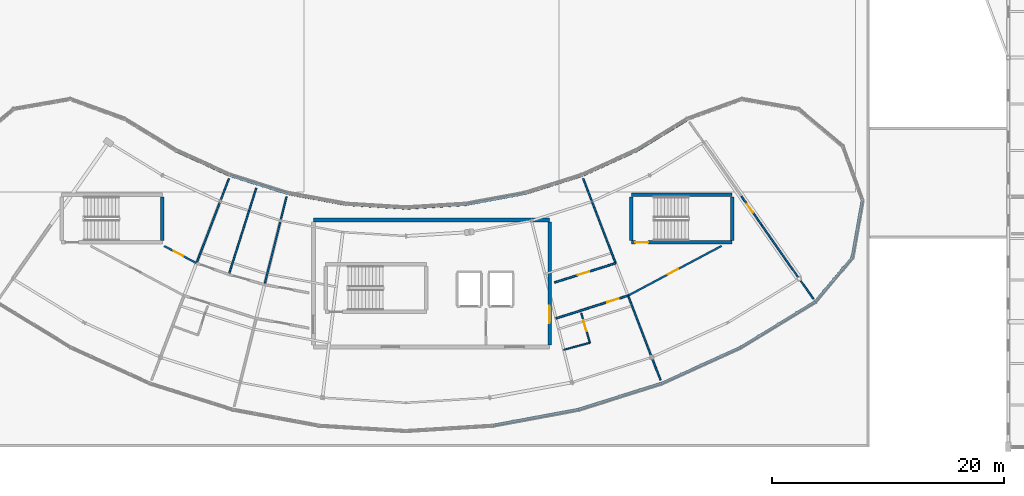
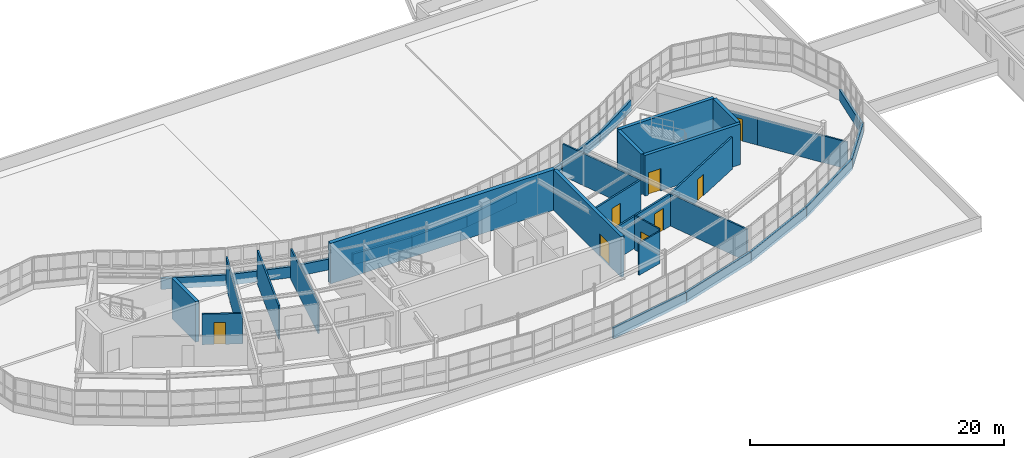
# One storey, part 103 of 128: 35 walls, 8 doors, 8 openings.
"""IFC4 building model written with IfcOpenShell, lengths in metres."""

import ifcopenshell
import ifcopenshell.guid

model = None  # the IFC model being written
_history = None  # IfcOwnerHistory: only IFC2X3 demands one
_inside = {}  # id of a spatial element -> (the spatial element, [elements in it])
_under = {}  # id of a project, library or spatial element -> (it, [spatial elements below it])
_declared = {}  # id of a project -> (the project, [libraries it declares])
_typed = {}  # id of a type object -> (the type object, [elements of that type])
_made_of = {}  # id of a material, layer set ... -> (it, [elements and type objects made of it])


def new_model(schema):
    """Start an empty IFC model of exactly this schema.

    Asked for "IFC4X3", IfcOpenShell would pick the latest addendum, in which some entities
    have other attributes; the version numbers below select the first issue.
    IFC2X3 requires an IfcOwnerHistory on every rooted entity: one is made here for all.
    """
    global model, _history
    if schema == "IFC4X3":
        model = ifcopenshell.file(schema_version=(4, 3, 0, 0))
    else:
        model = ifcopenshell.file(schema=schema)
    _inside.clear()
    _under.clear()
    _declared.clear()
    _typed.clear()
    _made_of.clear()
    _history = None
    if model.schema == "IFC2X3":
        org = make("IfcOrganization", Name="unknown")
        user = make(
            "IfcPersonAndOrganization",
            ThePerson=make("IfcPerson", FamilyName="unknown"),
            TheOrganization=org,
        )
        app = make(
            "IfcApplication",
            ApplicationDeveloper=org,
            Version="unknown",
            ApplicationFullName="unknown",
            ApplicationIdentifier="unknown",
        )
        _history = make(
            "IfcOwnerHistory",
            OwningUser=user,
            OwningApplication=app,
            ChangeAction="ADDED",
            CreationDate=0,
        )
    return model


def make(cls, **values):
    """One entity of the class cls with the attributes given. An attribute that is None is left unset."""
    return model.create_entity(
        cls, **{name: value for name, value in values.items() if value is not None}
    )


def rooted(cls, **values):
    """An entity with a GlobalId (a new one), such as an element, a storey or a relation."""
    return make(cls, GlobalId=ifcopenshell.guid.new(), OwnerHistory=_history, **values)


def si_unit(unit_type, name, prefix=None):
    """IfcSIUnit, for example si_unit("LENGTHUNIT", "METRE", prefix="MILLI")."""
    return make("IfcSIUnit", UnitType=unit_type, Prefix=prefix, Name=name)


def assignment(units):
    """IfcUnitAssignment: the units of a project."""
    return None if units is None else make("IfcUnitAssignment", Units=units)


def point(xyz):
    """IfcCartesianPoint."""
    return None if xyz is None else make("IfcCartesianPoint", Coordinates=xyz)


def direction(xyz):
    """IfcDirection."""
    return None if xyz is None else make("IfcDirection", DirectionRatios=xyz)


def frame(location, z_axis=None, x_axis=None):
    """IfcAxis2Placement3D, a coordinate frame: its origin and axes. An axis left out is left unset."""
    return make(
        "IfcAxis2Placement3D",
        Location=point(location),
        Axis=direction(z_axis),
        RefDirection=direction(x_axis),
    )


def frame_2d(location, x_axis=None):
    """IfcAxis2Placement2D, a coordinate frame in the plane: its origin and x axis."""
    return make(
        "IfcAxis2Placement2D", Location=point(location), RefDirection=direction(x_axis)
    )


def origin():
    """The frame at (0, 0, 0) with its axes left unset."""
    return frame((0.0, 0.0, 0.0))


def place(relative_to, where):
    """IfcLocalPlacement: puts the frame where relative to a parent placement (None: the world)."""
    return make(
        "IfcLocalPlacement", PlacementRelTo=relative_to, RelativePlacement=where
    )


def context(
    kind, dimensions, precision=None, world=None, true_north=None, identifier=None
):
    """IfcGeometricRepresentationContext, for example the 3D "Model" context."""
    return make(
        "IfcGeometricRepresentationContext",
        ContextIdentifier=identifier,
        ContextType=kind,
        CoordinateSpaceDimension=dimensions,
        Precision=precision,
        WorldCoordinateSystem=world,
        TrueNorth=true_north,
    )


def subcontext(parent, identifier, kind, view, scale=None):
    """IfcGeometricRepresentationSubContext, for example "Body" below "Model"."""
    return make(
        "IfcGeometricRepresentationSubContext",
        ContextIdentifier=identifier,
        ContextType=kind,
        ParentContext=parent,
        TargetScale=scale,
        TargetView=view,
    )


def project(units=None, contexts=None):
    """IfcProject with its units and contexts."""
    return rooted(
        "IfcProject",
        Name="project",
        RepresentationContexts=contexts,
        UnitsInContext=assignment(units),
    )


def spatial(cls, under=None, at=None, **own):
    """A site, building, storey or space (cls), placed at a placement, below another one or the project."""
    s = rooted(cls, ObjectPlacement=at, **own)
    if under is not None:
        _under.setdefault(under.id(), (under, []))[1].append(s)
    return s


def profile(cls, at=None, kind="AREA", **sizes):
    """A parametric profile (cls). Its sizes go by their IFC names, for example OverallWidth=200.0."""
    return make(cls, ProfileType=kind, Position=at, **sizes)


def rectangle(**sizes):
    """IfcRectangleProfileDef."""
    return profile("IfcRectangleProfileDef", **sizes)


def extrude(swept, where, along, depth):
    """IfcExtrudedAreaSolid: the profile swept, set in the frame where, extruded along a direction by depth."""
    return make(
        "IfcExtrudedAreaSolid",
        SweptArea=swept,
        Position=where,
        ExtrudedDirection=direction(along),
        Depth=depth,
    )


def shape(context_of_items, identifier, shape_type, items):
    """IfcShapeRepresentation: the items that make up one representation, for example the "Body"."""
    return make(
        "IfcShapeRepresentation",
        ContextOfItems=context_of_items,
        RepresentationIdentifier=identifier,
        RepresentationType=shape_type,
        Items=items,
    )


def material(Name=None, Category=None):
    """IfcMaterial."""
    return make("IfcMaterial", Name=Name, Category=Category)


def layer(
    of_material, thickness, ventilated=None, Name=None, Category=None, Priority=None
):
    """IfcMaterialLayer: one layer of a wall or slab, of a material (None: an air gap)."""
    return make(
        "IfcMaterialLayer",
        Material=of_material,
        LayerThickness=thickness,
        IsVentilated=ventilated,
        Name=Name,
        Category=Category,
        Priority=Priority,
    )


def layer_set(layers, Name=None):
    """IfcMaterialLayerSet."""
    return make("IfcMaterialLayerSet", MaterialLayers=layers, LayerSetName=Name)


def made_of(thing, what):
    """Note that an element or type object is made of a material, layer set ...; save() writes the relation."""
    if what is not None:
        _made_of.setdefault(what.id(), (what, []))[1].append(thing)
    return thing


def type_object(cls, material=None, **own):
    """A type object (cls), such as IfcWallType, which elements share."""
    return made_of(rooted(cls, **own), material)


def element(
    cls,
    number,
    at=None,
    inside=None,
    cuts=None,
    type_object=None,
    material=None,
    context=None,
    identifier="Body",
    shape_type=None,
    held_by="IfcProductDefinitionShape",
    body=None,
    shapes=None,
    **own,
):
    """One element of the class cls, such as IfcWall. Its Tag is "e" and its number.

    at: its placement. inside: the storey or other place that contains it. cuts: it is an
    opening in that element (IfcRelVoidsElement). A single representation is given by context,
    identifier, shape_type and body (its items); several are given by shapes. held_by: the class
    of the entity that holds the representations. save() writes the other relations.
    """
    e = rooted(cls, Tag="e%d" % number, ObjectPlacement=at, **own)
    if body is not None:
        shapes = [shape(context, identifier, shape_type, body)]
    if shapes is not None:
        e.Representation = make(held_by, Representations=shapes)
    if inside is not None:
        _inside.setdefault(inside.id(), (inside, []))[1].append(e)
    if cuts is not None:
        rooted(
            "IfcRelVoidsElement", RelatingBuildingElement=cuts, RelatedOpeningElement=e
        )
    if type_object is not None:
        _typed.setdefault(type_object.id(), (type_object, []))[1].append(e)
    return made_of(e, material)


def fill(opening, filler):
    """IfcRelFillsElement: the door or window that sits in an opening."""
    return rooted(
        "IfcRelFillsElement",
        RelatingOpeningElement=opening,
        RelatedBuildingElement=filler,
    )


def aggregate(whole, parts):
    """IfcRelAggregates: a whole, such as a stair, and the parts it consists of."""
    return rooted("IfcRelAggregates", RelatingObject=whole, RelatedObjects=parts)


def save(model, path):
    """Write the relations noted so far, then the file.

    IfcRelAggregates (storeys below a building ...), IfcRelContainedInSpatialStructure (elements
    in a storey), IfcRelDefinesByType, IfcRelAssociatesMaterial and IfcRelDeclares: one each for
    every whole, place, type object, material and project.
    """
    for whole, parts in _under.values():
        aggregate(whole, parts)
    for where, things in _inside.values():
        rooted(
            "IfcRelContainedInSpatialStructure",
            RelatedElements=things,
            RelatingStructure=where,
        )
    for kind, things in _typed.values():
        rooted("IfcRelDefinesByType", RelatedObjects=things, RelatingType=kind)
    for what, things in _made_of.values():
        rooted("IfcRelAssociatesMaterial", RelatedObjects=things, RelatingMaterial=what)
    for by, libraries in _declared.values():
        rooted("IfcRelDeclares", RelatingContext=by, RelatedDefinitions=libraries)
    model.write(path)


model = new_model("IFC4")

# Units and contexts
model_context = context("Model", 3, precision=1e-05, world=origin(), true_north=direction((0.0, 1.0)))
body_context = subcontext(model_context, "Body", "Model", "MODEL_VIEW")
ifc_project = project(units=[si_unit("LENGTHUNIT", "METRE"), si_unit("AREAUNIT", "SQUARE_METRE"), si_unit("VOLUMEUNIT", "CUBIC_METRE"), si_unit("PLANEANGLEUNIT", "RADIAN"), si_unit("MASSUNIT", "GRAM", prefix="KILO")], contexts=[model_context])

# Site, building, storey
site_placement = place(None, origin())
site = spatial("IfcSite", under=ifc_project, at=site_placement, CompositionType="ELEMENT")
building_placement = place(site_placement, origin())
building = spatial("IfcBuilding", under=site, at=building_placement, Name="Tarnwether General Hospital", CompositionType="ELEMENT")
storey_placement = place(building_placement, frame((0.0, 0.0, 14.39990234375)))
storey = spatial("IfcBuildingStorey", under=building, at=storey_placement, Name="L03", CompositionType="ELEMENT", Elevation=14.39990234375)

# Walls
ifc_material_1 = material(Name="Streamlined white enamelled aluminium", Category="aluminium")
ifc_layer_1 = layer(ifc_material_1, 0.219970703125)
ifc_layer_set_1 = layer_set([ifc_layer_1], Name="Streamlined white enamelled aluminium")
wall_type_1 = type_object("IfcWallType", Name="WL-EX220", PredefinedType="STANDARD", material=ifc_layer_set_1)
wall_1_placement = place(storey_placement, frame((106.902099609375, 3.22998046875, 0.0), z_axis=(0.0, 0.0, 1.0), x_axis=(-0.983242805192, -0.18230081195, 0.0)))
element("IfcWall", 1, at=wall_1_placement, inside=storey, type_object=wall_type_1, Name="Ward SE Streamlined White Spandrel EW-L03-0161", PredefinedType="STANDARD", context=body_context, shape_type="SweptSolid", body=[
    extrude(rectangle(XDim=7.52099609375, YDim=0.219970703125, at=frame_2d((3.760498046875, 0.0))), origin(), (0.0, 0.0, 1.0), 1.050048828125),
])
wall_2_placement = place(storey_placement, frame((114.074951171875, 5.490966796875, 0.0), z_axis=(0.0, 0.0, 1.0), x_axis=(-0.953740021466, -0.300632618747, 0.0)))
element("IfcWall", 2, at=wall_2_placement, inside=storey, type_object=wall_type_1, Name="Ward SE Streamlined White Spandrel EW-L03-0162", PredefinedType="STANDARD", context=body_context, shape_type="SweptSolid", body=[
    extrude(rectangle(XDim=7.520751953125, YDim=0.219970703125, at=frame_2d((3.76025390625, 0.0))), origin(), (0.0, 0.0, 1.0), 1.050048828125),
])
wall_3_placement = place(storey_placement, frame((120.9189453125, 8.610107421875, 0.0), z_axis=(0.0, 0.0, 1.0), x_axis=(-0.909953604353, -0.414710064895, 0.0)))
element("IfcWall", 3, at=wall_3_placement, inside=storey, type_object=wall_type_1, Name="Ward SE Streamlined White Spandrel EW-L03-0163", PredefinedType="STANDARD", context=body_context, shape_type="SweptSolid", body=[
    extrude(rectangle(XDim=7.521240234375, YDim=0.219970703125, at=frame_2d((3.7607421875, 0.0))), origin(), (0.0, 0.0, 1.0), 1.050048828125),
])
wall_4_placement = place(storey_placement, frame((127.33203125, 12.5400390625, 0.0), z_axis=(0.0, 0.0, 1.0), x_axis=(-0.852640903338, -0.522497358803, 0.0)))
element("IfcWall", 4, at=wall_4_placement, inside=storey, type_object=wall_type_1, Name="Ward SE Streamlined White Spandrel EW-L03-0164", PredefinedType="STANDARD", context=body_context, shape_type="SweptSolid", body=[
    extrude(rectangle(XDim=7.521484375, YDim=0.219970703125, at=frame_2d((3.7607421875, 0.0))), origin(), (0.0, 0.0, 1.0), 1.050048828125),
])
wall_5_placement = place(storey_placement, frame((130.527099609375, 16.346923828125, 0.0), z_axis=(0.0, 0.0, 1.0), x_axis=(-0.642871763415, -0.765973821879, 0.0)))
element("IfcWall", 5, at=wall_5_placement, inside=storey, type_object=wall_type_1, Name="Ward SE Streamlined White Spandrel EW-L03-0165", PredefinedType="STANDARD", context=body_context, shape_type="SweptSolid", body=[
    extrude(rectangle(XDim=4.969970703125, YDim=0.219970703125, at=frame_2d((2.48486328125, 0.0))), origin(), (0.0, 0.0, 1.0), 1.050048828125),
])
wall_6_placement = place(storey_placement, frame((131.388916015625, 21.240966796875, 0.0), z_axis=(0.0, 0.0, 1.0), x_axis=(-0.173426579259, -0.984846801085, 0.0)))
element("IfcWall", 6, at=wall_6_placement, inside=storey, type_object=wall_type_1, Name="Ward SE Streamlined White Spandrel EW-L03-0166", PredefinedType="STANDARD", context=body_context, shape_type="SweptSolid", body=[
    extrude(rectangle(XDim=4.96923828125, YDim=0.219970703125, at=frame_2d((2.484619140625, 0.0))), origin(), (0.0, 0.0, 1.0), 1.050048828125),
])
for number, where, z_axis, x_axis, name in (
    (7, (111.906005859375, 25.56298828125, 0.0), (0.0, 0.0, 1.0), (0.852628362135, 0.522517823698, 0.0), "Ward SE Streamlined White Spandrel EW-L03-0171"),
    (8, (107.195068359375, 23.416015625, 0.0), (0.0, 0.0, 1.0), (0.909955822384, 0.414705198074, 0.0), "Ward SE Streamlined White Spandrel EW-L03-0172"),
):
    element("IfcWall", number, at=place(storey_placement, frame(where, z_axis=z_axis, x_axis=x_axis)), inside=storey, type_object=wall_type_1, Name=name, PredefinedType="STANDARD", context=body_context, shape_type="SweptSolid", body=[
        extrude(rectangle(XDim=5.177001953125, YDim=0.219970703125, at=frame_2d((2.58837890625, 0.0))), origin(), (0.0, 0.0, 1.0), 1.050048828125),
    ])
wall_7_placement = place(storey_placement, frame((102.257080078125, 21.85888671875, 0.0), z_axis=(0.0, 0.0, 1.0), x_axis=(0.953706582316, 0.300738681994, 0.0)))
element("IfcWall", 9, at=wall_7_placement, inside=storey, type_object=wall_type_1, Name="Ward SE Streamlined White Spandrel EW-L03-0173", PredefinedType="STANDARD", context=body_context, shape_type="SweptSolid", body=[
    extrude(rectangle(XDim=5.177734375, YDim=0.219970703125, at=frame_2d((2.5888671875, 0.0))), origin(), (0.0, 0.0, 1.0), 1.050048828125),
])
for number, where, z_axis, x_axis, name in (
    (10, (97.1669921875, 20.916015625, 0.0), (0.0, 0.0, 1.0), (0.98327293422, 0.182138235501, 0.0), "Ward SE Streamlined White Spandrel EW-L03-0174"),
    (11, (92.0, 20.60009765625, 0.0), (0.0, 0.0, 1.0), (0.998136079034, 0.061027598104, 0.0), "Ward SE Streamlined White Spandrel EW-L03-0175"),
    (12, (86.8330078125, 20.916015625, 0.0), (0.0, 0.0, 1.0), (0.998136079034, -0.061027598104, 0.0), "Ward SE Streamlined White Spandrel EW-L03-0176"),
    (13, (81.742919921875, 21.85888671875, 0.0), (0.0, 0.0, 1.0), (0.98327293422, -0.182138235501, 0.0), "Ward SE Streamlined White Spandrel EW-L03-0177"),
):
    element("IfcWall", number, at=place(storey_placement, frame(where, z_axis=z_axis, x_axis=x_axis)), inside=storey, type_object=wall_type_1, Name=name, PredefinedType="STANDARD", context=body_context, shape_type="SweptSolid", body=[
        extrude(rectangle(XDim=5.1767578125, YDim=0.219970703125, at=frame_2d((2.58837890625, 0.0))), origin(), (0.0, 0.0, 1.0), 1.050048828125),
    ])
wall_8_placement = place(storey_placement, frame((76.804931640625, 23.416015625, 0.0), z_axis=(0.0, 0.0, 1.0), x_axis=(0.953706582316, -0.300738681994, 0.0)))
element("IfcWall", 14, at=wall_8_placement, inside=storey, type_object=wall_type_1, Name="Ward SE Streamlined White Spandrel EW-L03-0178", PredefinedType="STANDARD", context=body_context, shape_type="SweptSolid", body=[
    extrude(rectangle(XDim=5.177734375, YDim=0.219970703125, at=frame_2d((2.5888671875, 0.0))), origin(), (0.0, 0.0, 1.0), 1.050048828125),
])
wall_9_placement = place(storey_placement, frame((72.093994140625, 25.56298828125, 0.0), z_axis=(0.0, 0.0, 1.0), x_axis=(0.909955822384, -0.414705198074, 0.0)))
element("IfcWall", 15, at=wall_9_placement, inside=storey, type_object=wall_type_1, Name="Ward SE Streamlined White Spandrel EW-L03-0179", PredefinedType="STANDARD", context=body_context, shape_type="SweptSolid", body=[
    extrude(rectangle(XDim=5.177001953125, YDim=0.219970703125, at=frame_2d((2.58837890625, 0.0))), origin(), (0.0, 0.0, 1.0), 1.050048828125),
])

# Wall, opening, door
ifc_material_2 = material(Name="Gypsum plasterboard")
ifc_layer_2 = layer(ifc_material_2, 0.1201171875)
ifc_layer_set_2 = layer_set([ifc_layer_2], Name="Gypsum plasterboard")
wall_type_2 = type_object("IfcWallType", Name="WL-PT120", PredefinedType="PARTITIONING", material=ifc_layer_set_2)
wall_10_placement = place(storey_placement, frame((107.126953125, 11.537109375, 0.0), z_axis=(0.0, 0.0, 1.0), x_axis=(0.281962578993, -0.959425403066, 0.0)))
wall_10 = element("IfcWall", 16, at=wall_10_placement, inside=storey, type_object=wall_type_2, Name="Interior Partition PT-L03-0343", PredefinedType="PARTITIONING", context=body_context, shape_type="SweptSolid", body=[
    extrude(rectangle(XDim=2.659912109375, YDim=0.1201171875, at=frame_2d((1.330078125, 0.0))), origin(), (0.0, 0.0, 1.0), 3.2890625),
])
opening_1_placement = place(wall_10_placement, frame((0.64990234375, 0.0, 0.0)))
opening_1 = element("IfcOpeningElement", 17, at=opening_1_placement, cuts=wall_10, Name="Opening D-10", PredefinedType="OPENING", context=body_context, shape_type="SweptSolid", body=[
    extrude(rectangle(XDim=0.9599609375, YDim=2.06005859375, at=frame_2d((0.47998046875, 1.030029296875))), frame((0.0, 0.070068359375, 0.0), z_axis=(0.0, -1.0, 0.0), x_axis=(1.0, 0.0, 0.0)), (0.0, 0.0, 1.0), 0.14013671875),
])
ifc_material_3 = material(Name="Anodised aluminium", Category="aluminium")
door_type_1 = type_object("IfcDoorType", Name="DR-IN10", OperationType="NOTDEFINED", PredefinedType="DOOR", material=ifc_material_3)
door_1_placement = place(opening_1_placement, origin())
door_1 = element("IfcDoor", 18, at=door_1_placement, inside=storey, type_object=door_type_1, Name="Interior Door DR-L03-0191", OperationType="SINGLE_SWING_LEFT", OverallHeight=2.06005859375, OverallWidth=0.9599609375, PredefinedType="DOOR", context=body_context, shape_type="SweptSolid", body=[
    extrude(rectangle(XDim=0.9599609375, YDim=2.06005859375, at=frame_2d((0.47998046875, 1.030029296875))), frame((0.0, 0.02490234375, 0.0), z_axis=(0.0, -1.0, 0.0), x_axis=(1.0, 0.0, 0.0)), (0.0, 0.0, 1.0), 0.050048828125),
])
fill(opening_1, door_1)

# Walls
wall_11_placement = place(storey_placement, frame((105.6201171875, 8.3720703125, 0.0), z_axis=(0.0, 0.0, 1.0), x_axis=(0.965030735715, 0.262136756532, 0.0)))
element("IfcWall", 19, at=wall_11_placement, inside=storey, type_object=wall_type_2, Name="Interior Partition PT-L03-0344", PredefinedType="PARTITIONING", context=body_context, shape_type="SweptSolid", body=[
    extrude(rectangle(XDim=2.338623046875, YDim=0.1201171875, at=frame_2d((1.16943359375, 0.0))), origin(), (0.0, 0.0, 1.0), 3.085205078125),
])
ifc_material_4 = material(Name="Gypsum plasterboard")
ifc_layer_3 = layer(ifc_material_4, 0.139892578125)
ifc_layer_set_3 = layer_set([ifc_layer_3], Name="Gypsum plasterboard")
wall_type_3 = type_object("IfcWallType", Name="WL-PT140", PredefinedType="PARTITIONING", material=ifc_layer_set_3)
wall_12_placement = place(storey_placement, frame((73.902099609375, 15.85400390625, 0.0), z_axis=(0.0, 0.0, 1.0), x_axis=(0.358410014332, 0.933564278251, 0.0)))
element("IfcWall", 20, at=wall_12_placement, inside=storey, type_object=wall_type_3, Name="Interior Partition PT-L03-0332", PredefinedType="PARTITIONING", context=body_context, shape_type="SweptSolid", body=[
    extrude(rectangle(XDim=7.820556640625, YDim=0.139892578125, at=frame_2d((3.91015625, 0.0))), origin(), (0.0, 0.0, 1.0), 2.93310546875),
])
wall_13_placement = place(storey_placement, frame((76.697021484375, 14.875, 0.0), z_axis=(0.0, 0.0, 1.0), x_axis=(0.302952343331, 0.95300570705, 0.0)))
element("IfcWall", 21, at=wall_13_placement, inside=storey, type_object=wall_type_3, Name="Interior Partition PT-L03-0337", PredefinedType="PARTITIONING", context=body_context, shape_type="SweptSolid", body=[
    extrude(rectangle(XDim=7.8193359375, YDim=0.139892578125, at=frame_2d((3.90966796875, 0.0))), origin(), (0.0, 0.0, 1.0), 3.2412109375),
])
wall_14_placement = place(storey_placement, frame((79.782958984375, 14.0, 0.0), z_axis=(0.0, 0.0, 1.0), x_axis=(0.241947927131, 0.970289235515, 0.0)))
element("IfcWall", 22, at=wall_14_placement, inside=storey, type_object=wall_type_3, Name="Interior Partition PT-L03-0340", PredefinedType="PARTITIONING", context=body_context, shape_type="SweptSolid", body=[
    extrude(rectangle(XDim=7.8203125, YDim=0.139892578125, at=frame_2d((3.91015625, 0.0))), origin(), (0.0, 0.0, 1.0), 2.93798828125),
])
wall_15_placement = place(storey_placement, frame((111.173095703125, 13.052978515625, 0.0), z_axis=(0.0, 0.0, 1.0), x_axis=(0.358342954102, -0.933590020965, 0.0)))
element("IfcWall", 23, at=wall_15_placement, inside=storey, type_object=wall_type_3, Name="Interior Partition PT-L03-0346", PredefinedType="PARTITIONING", context=body_context, shape_type="SweptSolid", body=[
    extrude(rectangle(XDim=7.8193359375, YDim=0.139892578125, at=frame_2d((3.90966796875, 0.0))), origin(), (0.0, 0.0, 1.0), 3.088134765625),
])
wall_16_placement = place(storey_placement, frame((110.097900390625, 15.85400390625, 0.0), z_axis=(0.0, 0.0, 1.0), x_axis=(-0.358410014332, 0.933564278251, 0.0)))
element("IfcWall", 24, at=wall_16_placement, inside=storey, type_object=wall_type_3, Name="Interior Partition PT-L03-0348", PredefinedType="PARTITIONING", context=body_context, shape_type="SweptSolid", body=[
    extrude(rectangle(XDim=7.820556640625, YDim=0.139892578125, at=frame_2d((3.91015625, 0.0))), origin(), (0.0, 0.0, 1.0), 3.088134765625),
])
wall_17_placement = place(storey_placement, frame((122.68603515625, 19.175048828125, 0.0), z_axis=(0.0, 0.0, 1.0), x_axis=(0.573682336084, -0.819077882295, 0.0)))
element("IfcWall", 25, at=wall_17_placement, inside=storey, type_object=wall_type_3, Name="Interior Partition PT-L03-0350", PredefinedType="PARTITIONING", context=body_context, shape_type="SweptSolid", body=[
    extrude(rectangle(XDim=7.81982421875, YDim=0.139892578125, at=frame_2d((3.909912109375, 0.0))), origin(), (0.0, 0.0, 1.0), 2.59521484375),
])

# Wall, opening, door
wall_18_placement = place(storey_placement, frame((120.966064453125, 21.633056640625, 0.0), z_axis=(0.0, 0.0, 1.0), x_axis=(0.573320330817, -0.819331311663, 0.0)))
wall_18 = element("IfcWall", 26, at=wall_18_placement, inside=storey, type_object=wall_type_3, Name="Interior Partition PT-L03-0353", PredefinedType="PARTITIONING", context=body_context, shape_type="SweptSolid", body=[
    extrude(rectangle(XDim=3.0, YDim=0.139892578125, at=frame_2d((1.5, 0.0))), origin(), (0.0, 0.0, 1.0), 2.59521484375),
])
opening_2_placement = place(wall_18_placement, frame((0.800048828125, 0.0, 0.0)))
opening_2 = element("IfcOpeningElement", 27, at=opening_2_placement, cuts=wall_18, Name="Opening D-11", PredefinedType="OPENING", context=body_context, shape_type="SweptSolid", body=[
    extrude(rectangle(XDim=0.89990234375, YDim=2.10009765625, at=frame_2d((0.449951171875, 1.050048828125))), frame((0.0, 0.080078125, 0.0), z_axis=(0.0, -1.0, 0.0), x_axis=(1.0, 0.0, 0.0)), (0.0, 0.0, 1.0), 0.159912109375),
])
ifc_material_5 = material(Name="Anodised aluminium", Category="aluminium")
door_type_2 = type_object("IfcDoorType", Name="DR-IN11", OperationType="NOTDEFINED", PredefinedType="DOOR", material=ifc_material_5)
door_2_placement = place(opening_2_placement, origin())
door_2 = element("IfcDoor", 28, at=door_2_placement, inside=storey, type_object=door_type_2, Name="Interior Door DR-L03-0195", OperationType="SINGLE_SWING_LEFT", OverallHeight=2.10009765625, OverallWidth=0.89990234375, PredefinedType="DOOR", context=body_context, shape_type="SweptSolid", body=[
    extrude(rectangle(XDim=0.89990234375, YDim=2.10009765625, at=frame_2d((0.449951171875, 1.050048828125))), frame((0.0, 0.02490234375, 0.0), z_axis=(0.0, -1.0, 0.0), x_axis=(1.0, 0.0, 0.0)), (0.0, 0.0, 1.0), 0.050048828125),
])
fill(opening_2, door_2)

ifc_material_6 = material(Name="Gypsum plasterboard")
ifc_layer_4 = layer(ifc_material_6, 0.159912109375)
ifc_layer_set_4 = layer_set([ifc_layer_4], Name="Gypsum plasterboard")
wall_type_4 = type_object("IfcWallType", Name="WL-PT160", PredefinedType="PARTITIONING", material=ifc_layer_set_4)
wall_19_placement = place(storey_placement, frame((71.10693359375, 17.340087890625, 0.0), z_axis=(0.0, 0.0, 1.0), x_axis=(0.882964896182, -0.469439018522, 0.0)))
wall_19 = element("IfcWall", 29, at=wall_19_placement, inside=storey, type_object=wall_type_4, Name="Interior Partition PT-L03-0331", PredefinedType="PARTITIONING", context=body_context, shape_type="SweptSolid", body=[
    extrude(rectangle(XDim=3.165771484375, YDim=0.159912109375, at=frame_2d((1.5830078125, 0.0))), origin(), (0.0, 0.0, 1.0), 2.93310546875),
])
opening_3_placement = place(wall_19_placement, frame((0.93310546875, 0.0, 0.0)))
opening_3 = element("IfcOpeningElement", 30, at=opening_3_placement, cuts=wall_19, Name="Opening D-11", PredefinedType="OPENING", context=body_context, shape_type="SweptSolid", body=[
    extrude(rectangle(XDim=0.89990234375, YDim=2.10009765625, at=frame_2d((0.449951171875, 1.050048828125))), frame((0.0, 0.08984375, 0.0), z_axis=(0.0, -1.0, 0.0), x_axis=(1.0, 0.0, 0.0)), (0.0, 0.0, 1.0), 0.179931640625),
])
door_3_placement = place(opening_3_placement, origin())
door_3 = element("IfcDoor", 31, at=door_3_placement, inside=storey, type_object=door_type_2, Name="Interior Door DR-L03-0184", OperationType="SINGLE_SWING_RIGHT", OverallHeight=2.10009765625, OverallWidth=0.89990234375, PredefinedType="DOOR", context=body_context, shape_type="SweptSolid", body=[
    extrude(rectangle(XDim=0.89990234375, YDim=2.10009765625, at=frame_2d((0.449951171875, 1.050048828125))), frame((0.0, 0.02490234375, 0.0), z_axis=(0.0, -1.0, 0.0), x_axis=(1.0, 0.0, 0.0)), (0.0, 0.0, 1.0), 0.050048828125),
])
fill(opening_3, door_3)

wall_20_placement = place(storey_placement, frame((104.943115234375, 11.089111328125, 0.0), z_axis=(0.0, 0.0, 1.0), x_axis=(0.953736183483, 0.30064479426, 0.0)))
wall_20 = element("IfcWall", 32, at=wall_20_placement, inside=storey, type_object=wall_type_4, Name="Interior Partition PT-L03-0345", PredefinedType="PARTITIONING", context=body_context, shape_type="SweptSolid", body=[
    extrude(rectangle(XDim=6.5322265625, YDim=0.159912109375, at=frame_2d((3.26611328125, 0.0))), origin(), (0.0, 0.0, 1.0), 3.085205078125),
])
opening_4_placement = place(wall_20_placement, frame((4.632080078125, 0.0, 0.0)))
opening_4 = element("IfcOpeningElement", 33, at=opening_4_placement, cuts=wall_20, Name="Opening D-08", PredefinedType="OPENING", context=body_context, shape_type="SweptSolid", body=[
    extrude(rectangle(XDim=1.06005859375, YDim=2.10009765625, at=frame_2d((0.530029296875, 1.050048828125))), frame((0.0, 0.08984375, 0.0), z_axis=(0.0, -1.0, 0.0), x_axis=(1.0, 0.0, 0.0)), (0.0, 0.0, 1.0), 0.179931640625),
])
ifc_material_7 = material(Name="Anodised aluminium", Category="aluminium")
door_type_3 = type_object("IfcDoorType", Name="DR-IN08", OperationType="NOTDEFINED", PredefinedType="DOOR", material=ifc_material_7)
door_4_placement = place(opening_4_placement, origin())
door_4 = element("IfcDoor", 34, at=door_4_placement, inside=storey, type_object=door_type_3, Name="Interior Door DR-L03-0192", OperationType="SINGLE_SWING_RIGHT", OverallHeight=2.10009765625, OverallWidth=1.06005859375, PredefinedType="DOOR", context=body_context, shape_type="SweptSolid", body=[
    extrude(rectangle(XDim=1.06005859375, YDim=2.10009765625, at=frame_2d((0.530029296875, 1.050048828125))), frame((0.0, 0.02490234375, 0.0), z_axis=(0.0, -1.0, 0.0), x_axis=(1.0, 0.0, 0.0)), (0.0, 0.0, 1.0), 0.050048828125),
])
fill(opening_4, door_4)

wall_21_placement = place(storey_placement, frame((104.81005859375, 14.18701171875, 0.0), z_axis=(0.0, 0.0, 1.0), x_axis=(0.953730291319, 0.300663485347, 0.0)))
wall_21 = element("IfcWall", 35, at=wall_21_placement, inside=storey, type_object=wall_type_4, Name="Interior Partition PT-L03-0347", PredefinedType="PARTITIONING", context=body_context, shape_type="SweptSolid", body=[
    extrude(rectangle(XDim=5.54443359375, YDim=0.159912109375, at=frame_2d((2.772216796875, 0.0))), origin(), (0.0, 0.0, 1.0), 3.088134765625),
])
opening_5_placement = place(wall_21_placement, frame((2.1220703125, 0.0, 0.0)))
opening_5 = element("IfcOpeningElement", 36, at=opening_5_placement, cuts=wall_21, Name="Opening D-09", PredefinedType="OPENING", context=body_context, shape_type="SweptSolid", body=[
    extrude(rectangle(XDim=1.02001953125, YDim=2.080078125, at=frame_2d((0.510009765625, 1.0400390625))), frame((0.0, 0.08984375, 0.0), z_axis=(0.0, -1.0, 0.0), x_axis=(1.0, 0.0, 0.0)), (0.0, 0.0, 1.0), 0.179931640625),
])
ifc_material_8 = material(Name="Anodised aluminium", Category="aluminium")
door_type_4 = type_object("IfcDoorType", Name="DR-IN09", OperationType="NOTDEFINED", PredefinedType="DOOR", material=ifc_material_8)
door_5_placement = place(opening_5_placement, origin())
door_5 = element("IfcDoor", 37, at=door_5_placement, inside=storey, type_object=door_type_4, Name="Interior Door DR-L03-0193", OperationType="SINGLE_SWING_LEFT", OverallHeight=2.080078125, OverallWidth=1.02001953125, PredefinedType="DOOR", context=body_context, shape_type="SweptSolid", body=[
    extrude(rectangle(XDim=1.02001953125, YDim=2.080078125, at=frame_2d((0.510009765625, 1.0400390625))), frame((0.0, 0.02490234375, 0.0), z_axis=(0.0, -1.0, 0.0), x_axis=(1.0, 0.0, 0.0)), (0.0, 0.0, 1.0), 0.050048828125),
])
fill(opening_5, door_5)

wall_22_placement = place(storey_placement, frame((111.173095703125, 13.052978515625, 0.0), z_axis=(0.0, 0.0, 1.0), x_axis=(0.882926631997, 0.469510982311, 0.0)))
wall_22 = element("IfcWall", 38, at=wall_22_placement, inside=storey, type_object=wall_type_4, Name="Interior Partition PT-L03-0349", PredefinedType="PARTITIONING", context=body_context, shape_type="SweptSolid", body=[
    extrude(rectangle(XDim=9.131103515625, YDim=0.159912109375, at=frame_2d((4.5654296875, 0.0))), origin(), (0.0, 0.0, 1.0), 3.088134765625),
])
opening_6_placement = place(wall_22_placement, frame((3.916015625, 0.0, 0.0)))
opening_6 = element("IfcOpeningElement", 39, at=opening_6_placement, cuts=wall_22, Name="Opening D-10", PredefinedType="OPENING", context=body_context, shape_type="SweptSolid", body=[
    extrude(rectangle(XDim=0.9599609375, YDim=2.06005859375, at=frame_2d((0.47998046875, 1.030029296875))), frame((0.0, 0.08984375, 0.0), z_axis=(0.0, -1.0, 0.0), x_axis=(1.0, 0.0, 0.0)), (0.0, 0.0, 1.0), 0.179931640625),
])
door_6_placement = place(opening_6_placement, origin())
door_6 = element("IfcDoor", 40, at=door_6_placement, inside=storey, type_object=door_type_1, Name="Interior Door DR-L03-0194", OperationType="SINGLE_SWING_RIGHT", OverallHeight=2.06005859375, OverallWidth=0.9599609375, PredefinedType="DOOR", context=body_context, shape_type="SweptSolid", body=[
    extrude(rectangle(XDim=0.9599609375, YDim=2.06005859375, at=frame_2d((0.47998046875, 1.030029296875))), frame((0.0, 0.02490234375, 0.0), z_axis=(0.0, -1.0, 0.0), x_axis=(1.0, 0.0, 0.0)), (0.0, 0.0, 1.0), 0.050048828125),
])
fill(opening_6, door_6)

ifc_material_9 = material(Name="Concrete 50 MPa", Category="concrete")
ifc_layer_5 = layer(ifc_material_9, 0.300048828125)
ifc_layer_set_5 = layer_set([ifc_layer_5], Name="Concrete 50 MPa")
wall_type_5 = type_object("IfcWallType", Name="WL-SW300", PredefinedType="SHEAR", material=ifc_layer_set_5)
wall_23_placement = place(storey_placement, frame((104.39990234375, 19.39990234375, 0.0), z_axis=(0.0, 0.0, 1.0), x_axis=(0.0, -1.0, 0.0)))
wall_23 = element("IfcWall", 41, at=wall_23_placement, inside=storey, type_object=wall_type_5, Name="Core Shear Wall CWALL-K2-L03-E", PredefinedType="SHEAR", context=body_context, shape_type="SweptSolid", body=[
    extrude(rectangle(XDim=10.599853515625, YDim=0.300048828125, at=frame_2d((5.2998046875, 0.0))), origin(), (0.0, 0.0, 1.0), 3.900146484375),
])
opening_7_placement = place(wall_23_placement, frame((7.199951171875, 0.0, 0.0)))
opening_7 = element("IfcOpeningElement", 42, at=opening_7_placement, cuts=wall_23, Name="Opening FD-02", PredefinedType="OPENING", context=body_context, shape_type="SweptSolid", body=[
    extrude(rectangle(XDim=1.52001953125, YDim=2.159912109375, at=frame_2d((0.760009765625, 1.080078125))), frame((0.0, 0.16015625, 0.0), z_axis=(0.0, -1.0, 0.0), x_axis=(1.0, 0.0, 0.0)), (0.0, 0.0, 1.0), 0.320068359375),
])
ifc_material_10 = material(Name="Anodised aluminium", Category="aluminium")
door_type_5 = type_object("IfcDoorType", Name="DR-FD02", OperationType="NOTDEFINED", PredefinedType="DOOR", material=ifc_material_10)
door_7_placement = place(opening_7_placement, origin())
door_7 = element("IfcDoor", 43, at=door_7_placement, inside=storey, type_object=door_type_5, Name="Core K2 Ward Corridor Fire Door L03", OperationType="SINGLE_SWING_LEFT", OverallHeight=2.159912109375, OverallWidth=1.52001953125, PredefinedType="DOOR", context=body_context, shape_type="SweptSolid", body=[
    extrude(rectangle(XDim=1.52001953125, YDim=2.159912109375, at=frame_2d((0.760009765625, 1.080078125))), frame((0.0, 0.02490234375, 0.0), z_axis=(0.0, -1.0, 0.0), x_axis=(1.0, 0.0, 0.0)), (0.0, 0.0, 1.0), 0.050048828125),
])
fill(opening_7, door_7)

# Wall
wall_24_placement = place(storey_placement, frame((70.949951171875, 17.820068359375, 0.0), z_axis=(0.0, 0.0, 1.0), x_axis=(0.0, 1.0, 0.0)))
element("IfcWall", 44, at=wall_24_placement, inside=storey, type_object=wall_type_5, Name="Stairwell Shear Wall STW-ST-09-L03-F", PredefinedType="SHEAR", context=body_context, shape_type="SweptSolid", body=[
    extrude(rectangle(XDim=3.760009765625, YDim=0.300048828125, at=frame_2d((1.8798828125, 0.0))), origin(), (0.0, 0.0, 1.0), 3.900146484375),
])

# Wall, opening, door
wall_25_placement = place(storey_placement, frame((111.449951171875, 17.64990234375, 0.0), z_axis=(0.0, 0.0, 1.0), x_axis=(1.0, 0.0, 0.0)))
wall_25 = element("IfcWall", 45, at=wall_25_placement, inside=storey, type_object=wall_type_5, Name="Stairwell Shear Wall STW-ST-10-L03-B", PredefinedType="SHEAR", context=body_context, shape_type="SweptSolid", body=[
    extrude(rectangle(XDim=8.699951171875, YDim=0.300048828125, at=frame_2d((4.35009765625, 0.0))), origin(), (0.0, 0.0, 1.0), 3.900146484375),
])
opening_8_placement = place(wall_25_placement, frame((0.35009765625, 0.0, 0.0)))
opening_8 = element("IfcOpeningElement", 46, at=opening_8_placement, cuts=wall_25, Name="Opening FD-06", PredefinedType="OPENING", context=body_context, shape_type="SweptSolid", body=[
    extrude(rectangle(XDim=1.10009765625, YDim=2.14990234375, at=frame_2d((0.550048828125, 1.074951171875))), frame((0.0, 0.16015625, 0.0), z_axis=(0.0, -1.0, 0.0), x_axis=(1.0, 0.0, 0.0)), (0.0, 0.0, 1.0), 0.320068359375),
])
ifc_material_11 = material(Name="Anodised aluminium", Category="aluminium")
door_type_6 = type_object("IfcDoorType", Name="DR-FD06", OperationType="NOTDEFINED", PredefinedType="DOOR", material=ifc_material_11)
door_8_placement = place(opening_8_placement, origin())
door_8 = element("IfcDoor", 47, at=door_8_placement, inside=storey, type_object=door_type_6, Name="Stairwell ST-10 Safe-Path Fire Door L03", OperationType="SINGLE_SWING_RIGHT", OverallHeight=2.14990234375, OverallWidth=1.10009765625, PredefinedType="DOOR", context=body_context, shape_type="SweptSolid", body=[
    extrude(rectangle(XDim=1.10009765625, YDim=2.14990234375, at=frame_2d((0.550048828125, 1.074951171875))), frame((0.0, 0.02490234375, 0.0), z_axis=(0.0, -1.0, 0.0), x_axis=(1.0, 0.0, 0.0)), (0.0, 0.0, 1.0), 0.050048828125),
])
fill(opening_8, door_8)

# Walls
wall_26_placement = place(storey_placement, frame((120.14990234375, 21.75, 0.0), z_axis=(0.0, 0.0, 1.0), x_axis=(-1.0, 0.0, 0.0)))
element("IfcWall", 48, at=wall_26_placement, inside=storey, type_object=wall_type_5, Name="Stairwell Shear Wall STW-ST-10-L03-N", PredefinedType="SHEAR", context=body_context, shape_type="SweptSolid", body=[
    extrude(rectangle(XDim=8.699951171875, YDim=0.300048828125, at=frame_2d((4.35009765625, 0.0))), origin(), (0.0, 0.0, 1.0), 3.900146484375),
])
for number, where, z_axis, x_axis, name in (
    (49, (111.449951171875, 17.820068359375, 0.0), (0.0, 0.0, 1.0), (0.0, 1.0, 0.0), "Stairwell Shear Wall STW-ST-10-L03-L"),
    (50, (120.14990234375, 17.820068359375, 0.0), (0.0, 0.0, 1.0), (0.0, 1.0, 0.0), "Stairwell Shear Wall STW-ST-10-L03-F"),
):
    element("IfcWall", number, at=place(storey_placement, frame(where, z_axis=z_axis, x_axis=x_axis)), inside=storey, type_object=wall_type_5, Name=name, PredefinedType="SHEAR", context=body_context, shape_type="SweptSolid", body=[
        extrude(rectangle(XDim=3.760009765625, YDim=0.300048828125, at=frame_2d((1.8798828125, 0.0))), origin(), (0.0, 0.0, 1.0), 3.900146484375),
    ])
ifc_material_12 = material(Name="Concrete 50 MPa", Category="concrete")
ifc_layer_6 = layer(ifc_material_12, 0.35009765625)
ifc_layer_set_6 = layer_set([ifc_layer_6], Name="Concrete 50 MPa")
wall_type_6 = type_object("IfcWallType", Name="WL-SW350", PredefinedType="SHEAR", material=ifc_layer_set_6)
wall_27_placement = place(storey_placement, frame((84.0, 19.60009765625, 0.0), z_axis=(0.0, 0.0, 1.0), x_axis=(1.0, 0.0, 0.0)))
element("IfcWall", 51, at=wall_27_placement, inside=storey, type_object=wall_type_6, Name="Core Shear Wall CWALL-K2-L03-N", PredefinedType="SHEAR", context=body_context, shape_type="SweptSolid", body=[
    extrude(rectangle(XDim=20.39990234375, YDim=0.35009765625, at=frame_2d((10.199951171875, 0.0))), origin(), (0.0, 0.0, 1.0), 3.900146484375),
])

save(model, "model.ifc")
